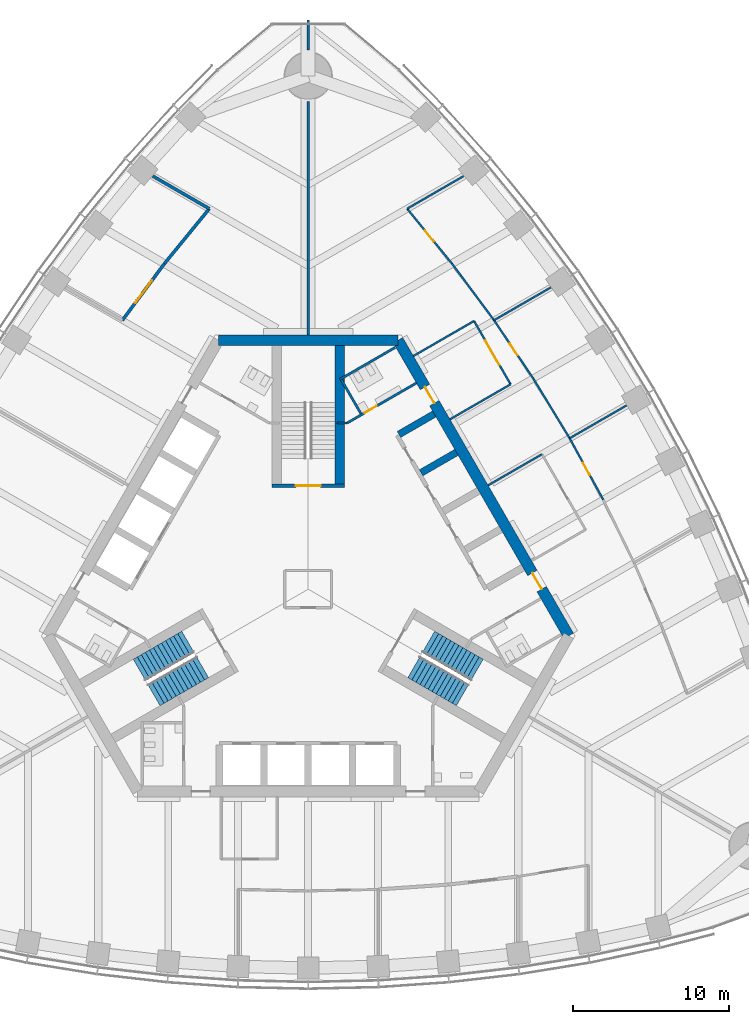
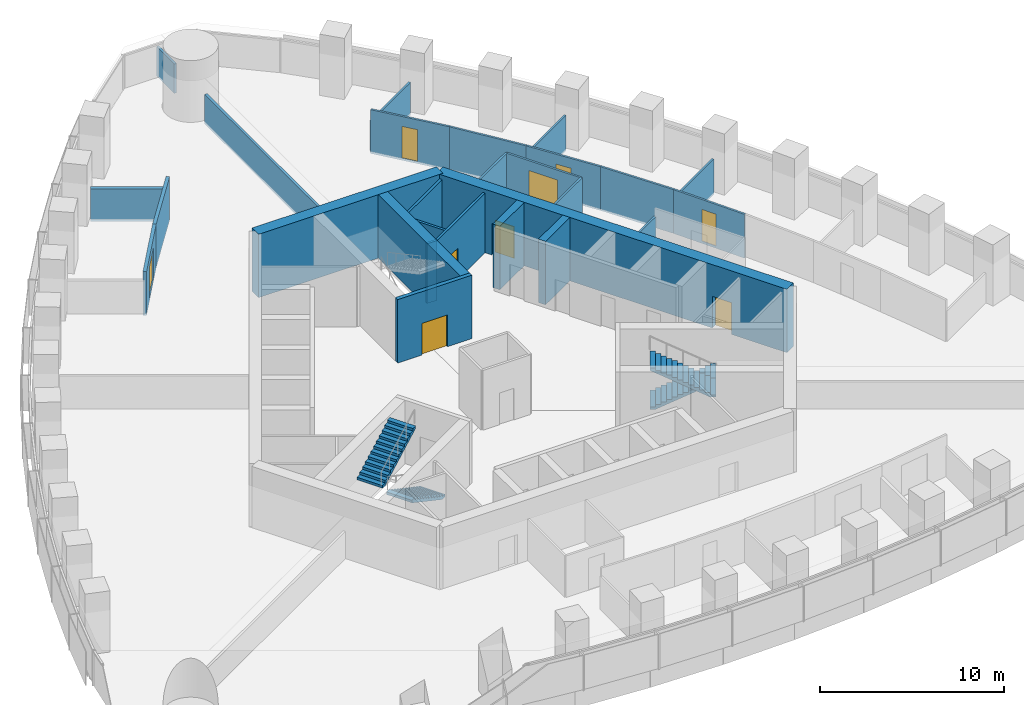
# One storey, part 13 of 19: 27 walls, 9 doors, 4 stair flights, 9 openings, 2 elements without a shape of their own.
"""IFC4 building model written with IfcOpenShell, lengths in metres."""

from ifc_helpers import new_model, si_unit, direction, frame, frame_2d, origin, place, context, subcontext, project, spatial, polyline, rectangle, outline, extrude, material, layer, layer_set, type_object, element, fill, aggregate, save


model = new_model("IFC4")

# Units and contexts
model_context = context("Model", 3, precision=1e-05, world=origin(), true_north=direction((0.0, 1.0)))
body_context = subcontext(model_context, "Body", "Model", "MODEL_VIEW")
ifc_project = project(units=[si_unit("LENGTHUNIT", "METRE"), si_unit("AREAUNIT", "SQUARE_METRE"), si_unit("VOLUMEUNIT", "CUBIC_METRE"), si_unit("PLANEANGLEUNIT", "RADIAN"), si_unit("MASSUNIT", "GRAM", prefix="KILO")], contexts=[model_context])

# Site, building, storey
site_placement = place(None, origin())
site = spatial("IfcSite", under=ifc_project, at=site_placement, CompositionType="ELEMENT")
building_placement = place(site_placement, origin())
building = spatial("IfcBuilding", under=site, at=building_placement, Name="Trefoil Bronze Tower", CompositionType="ELEMENT")
storey_placement = place(building_placement, frame((0.0, 0.0, 261.10009765625)))
storey = spatial("IfcBuildingStorey", under=building, at=storey_placement, Name="L60", CompositionType="ELEMENT", Elevation=261.10009765625)

# Wall, opening, door
ifc_material_1 = material(Name="Gypsum board on steel studs", Category="steel")
ifc_layer_1 = layer(ifc_material_1, 0.199951171875)
ifc_layer_set_1 = layer_set([ifc_layer_1], Name="Acoustic partition 200")
wall_type_1 = type_object("IfcWallType", Name="Acoustic partition 200", PredefinedType="PARTITIONING", material=ifc_layer_set_1)
wall_1_placement = place(storey_placement, frame((-9.2421875, 20.92431640625, 0.0), z_axis=(0.0, 0.0, 1.0), x_axis=(-0.59613842716, -0.802881669777, 0.0)))
wall_1 = element("IfcWall", 1, at=wall_1_placement, inside=storey, type_object=wall_type_1, Name="Partition F3 L60", PredefinedType="PARTITIONING", context=body_context, shape_type="SweptSolid", body=[
    extrude(rectangle(XDim=4.52978515625, YDim=0.199951171875, at=frame_2d((2.264892578125, 0.0))), origin(), (0.0, 0.0, 1.0), 2.89990234375),
])
opening_1_placement = place(wall_1_placement, frame((1.35009765625, 0.0, 0.14990234375)))
opening_1 = element("IfcOpeningElement", 2, at=opening_1_placement, cuts=wall_1, Name="Opening D10", PredefinedType="OPENING", context=body_context, shape_type="SweptSolid", body=[
    extrude(rectangle(XDim=1.800048828125, YDim=2.10009765625, at=frame_2d((0.89990234375, 1.050048828125))), frame((0.0, 0.10986328125, 0.0), z_axis=(0.0, -1.0, 0.0), x_axis=(1.0, 0.0, 0.0)), (0.0, 0.0, 1.0), 0.219970703125),
])
ifc_material_2 = material(Name="Timber door", Category="wood")
door_type_1 = type_object("IfcDoorType", Name="Double door 1800", OperationType="DOUBLE_DOOR_SINGLE_SWING", PredefinedType="DOOR", material=ifc_material_2)
door_1_placement = place(opening_1_placement, frame((1.800048828125, 0.0, 0.0), z_axis=(0.0, 0.0, 1.0), x_axis=(-1.0, 0.0, 0.0)))
door_1 = element("IfcDoor", 3, at=door_1_placement, inside=storey, type_object=door_type_1, Name="Boardroom door F3 L60", OperationType="DOUBLE_DOOR_SINGLE_SWING", OverallHeight=2.10009765625, OverallWidth=1.800048828125, PredefinedType="DOOR", context=body_context, shape_type="SweptSolid", body=[
    extrude(rectangle(XDim=1.800048828125, YDim=2.10009765625, at=frame_2d((0.89990234375, 1.050048828125))), frame((0.0, 0.02490234375, 0.0), z_axis=(0.0, -1.0, 0.0), x_axis=(1.0, 0.0, 0.0)), (0.0, 0.0, 1.0), 0.050048828125),
])
fill(opening_1, door_1)

# Walls
wall_2_placement = place(storey_placement, frame((-6.357177734375, 24.454833984375, 0.0), z_axis=(0.0, 0.0, 1.0), x_axis=(-0.632765292047, -0.774343647989, 0.0)))
element("IfcWall", 4, at=wall_2_placement, inside=storey, type_object=wall_type_1, Name="Partition F3 L60", PredefinedType="PARTITIONING", context=body_context, shape_type="SweptSolid", body=[
    extrude(rectangle(XDim=4.559326171875, YDim=0.199951171875, at=frame_2d((2.27978515625, 0.0))), origin(), (0.0, 0.0, 1.0), 2.89990234375),
])
wall_3_placement = place(storey_placement, frame((-6.357177734375, 24.454833984375, 0.0), z_axis=(0.0, 0.0, 1.0), x_axis=(-0.866016898545, 0.500014731218, 0.0)))
element("IfcWall", 5, at=wall_3_placement, inside=storey, type_object=wall_type_1, Name="Partition F3 L60", PredefinedType="PARTITIONING", context=body_context, shape_type="SweptSolid", body=[
    extrude(rectangle(XDim=4.193603515625, YDim=0.199951171875, at=frame_2d((2.0966796875, 0.0))), origin(), (0.0, 0.0, 1.0), 2.14990234375),
])

# Wall, openings, doors
ifc_material_3 = material(Name="Concrete B80", Category="concrete")
ifc_layer_2 = layer(ifc_material_3, 0.699951171875)
ifc_layer_set_2 = layer_set([ifc_layer_2], Name="Core wall 700")
wall_type_2 = type_object("IfcWallType", Name="Core wall 700", PredefinedType="SHEAR", material=ifc_layer_set_2)
wall_4_placement = place(storey_placement, frame((16.7431640625, -3.0, 0.0), z_axis=(0.0, 0.0, 1.0), x_axis=(-0.500002442456, 0.866023993627, 0.0)))
wall_4 = element("IfcWall", 6, at=wall_4_placement, inside=storey, type_object=wall_type_2, Name="Core long wall 2 L60", PredefinedType="SHEAR", context=body_context, shape_type="SweptSolid", body=[
    extrude(rectangle(XDim=21.939453125, YDim=0.699951171875, at=frame_2d((10.9697265625, 0.0))), origin(), (0.0, 0.0, 1.0), 4.199951171875),
])
opening_2_placement = place(wall_4_placement, frame((17.269775390625, 0.0, 0.0)))
opening_2 = element("IfcOpeningElement", 7, at=opening_2_placement, cuts=wall_4, Name="Opening D2", PredefinedType="OPENING", context=body_context, shape_type="SweptSolid", body=[
    extrude(rectangle(XDim=1.199951171875, YDim=2.10009765625, at=frame_2d((0.60009765625, 1.050048828125))), frame((0.0, 0.35986328125, 0.0), z_axis=(0.0, -1.0, 0.0), x_axis=(1.0, 0.0, 0.0)), (0.0, 0.0, 1.0), 0.719970703125),
])
opening_3_placement = place(wall_4_placement, frame((3.4697265625, 0.0, 0.0)))
opening_3 = element("IfcOpeningElement", 8, at=opening_3_placement, cuts=wall_4, Name="Opening D2", PredefinedType="OPENING", context=body_context, shape_type="SweptSolid", body=[
    extrude(rectangle(XDim=1.199951171875, YDim=2.10009765625, at=frame_2d((0.60009765625, 1.050048828125))), frame((0.0, 0.35986328125, 0.0), z_axis=(0.0, -1.0, 0.0), x_axis=(1.0, 0.0, 0.0)), (0.0, 0.0, 1.0), 0.719970703125),
])
ifc_material_4 = material(Name="Steel door", Category="steel")
door_type_2 = type_object("IfcDoorType", Name="Lobby door 1200", OperationType="SINGLE_SWING_RIGHT", PredefinedType="DOOR", material=ifc_material_4)
door_2_placement = place(opening_2_placement, origin())
door_2 = element("IfcDoor", 9, at=door_2_placement, inside=storey, type_object=door_type_2, Name="Lobby door F2+ L60", OperationType="SINGLE_SWING_RIGHT", OverallHeight=2.10009765625, OverallWidth=1.199951171875, PredefinedType="DOOR", context=body_context, shape_type="SweptSolid", body=[
    extrude(rectangle(XDim=1.199951171875, YDim=2.10009765625, at=frame_2d((0.60009765625, 1.050048828125))), frame((0.0, 0.02490234375, 0.0), z_axis=(0.0, -1.0, 0.0), x_axis=(1.0, 0.0, 0.0)), (0.0, 0.0, 1.0), 0.050048828125),
])
fill(opening_2, door_2)
door_3_placement = place(opening_3_placement, origin())
door_3 = element("IfcDoor", 10, at=door_3_placement, inside=storey, type_object=door_type_2, Name="Lobby door F2- L60", OperationType="SINGLE_SWING_LEFT", OverallHeight=2.10009765625, OverallWidth=1.199951171875, PredefinedType="DOOR", context=body_context, shape_type="SweptSolid", body=[
    extrude(rectangle(XDim=1.199951171875, YDim=2.10009765625, at=frame_2d((0.60009765625, 1.050048828125))), frame((0.0, 0.02490234375, 0.0), z_axis=(0.0, -1.0, 0.0), x_axis=(1.0, 0.0, 0.0)), (0.0, 0.0, 1.0), 0.050048828125),
])
fill(opening_3, door_3)

# Wall
wall_5_placement = place(storey_placement, frame((5.7734375, 16.0, 0.0), z_axis=(0.0, 0.0, 1.0), x_axis=(-1.0, 0.0, 0.0)))
element("IfcWall", 11, at=wall_5_placement, inside=storey, type_object=wall_type_2, Name="Core short wall 2 L60", PredefinedType="SHEAR", context=body_context, shape_type="SweptSolid", body=[
    extrude(rectangle(XDim=11.546875, YDim=0.699951171875, at=frame_2d((5.7734375, 0.0))), origin(), (0.0, 0.0, 1.0), 4.199951171875),
])

# Wall, opening, door
ifc_material_5 = material(Name="Glazed partition", Category="glass")
ifc_layer_3 = layer(ifc_material_5, 0.1201171875)
ifc_layer_set_3 = layer_set([ifc_layer_3], Name="Glazed partition 120")
wall_type_3 = type_object("IfcWallType", Name="Glazed partition 120", PredefinedType="PARTITIONING", material=ifc_layer_set_3)
wall_6_placement = place(storey_placement, frame((13.008544921875, 13.16845703125, 0.0), z_axis=(0.0, 0.0, 1.0), x_axis=(-0.500016218704, 0.866016039709, 0.0)))
wall_6 = element("IfcWall", 12, at=wall_6_placement, inside=storey, type_object=wall_type_3, Name="Partition F2 L60", PredefinedType="PARTITIONING", context=body_context, shape_type="SweptSolid", body=[
    extrude(rectangle(XDim=4.699951171875, YDim=0.1201171875, at=frame_2d((2.35009765625, 0.0))), origin(), (0.0, 0.0, 1.0), 2.89990234375),
])
opening_4_placement = place(wall_6_placement, frame((1.449951171875, 0.0, 0.14990234375)))
opening_4 = element("IfcOpeningElement", 13, at=opening_4_placement, cuts=wall_6, Name="Opening D10", PredefinedType="OPENING", context=body_context, shape_type="SweptSolid", body=[
    extrude(rectangle(XDim=1.800048828125, YDim=2.10009765625, at=frame_2d((0.89990234375, 1.050048828125))), frame((0.0, 0.070068359375, 0.0), z_axis=(0.0, -1.0, 0.0), x_axis=(1.0, 0.0, 0.0)), (0.0, 0.0, 1.0), 0.14013671875),
])
door_4_placement = place(opening_4_placement, frame((1.800048828125, 0.0, 0.0), z_axis=(0.0, 0.0, 1.0), x_axis=(-1.0, 0.0, 0.0)))
door_4 = element("IfcDoor", 14, at=door_4_placement, inside=storey, type_object=door_type_1, Name="Reception door F2 L60", OperationType="DOUBLE_DOOR_SINGLE_SWING", OverallHeight=2.10009765625, OverallWidth=1.800048828125, PredefinedType="DOOR", context=body_context, shape_type="SweptSolid", body=[
    extrude(rectangle(XDim=1.800048828125, YDim=2.10009765625, at=frame_2d((0.89990234375, 1.050048828125))), frame((0.0, 0.02490234375, 0.0), z_axis=(0.0, -1.0, 0.0), x_axis=(1.0, 0.0, 0.0)), (0.0, 0.0, 1.0), 0.050048828125),
])
fill(opening_4, door_4)

# Walls
wall_7_placement = place(storey_placement, frame((9.111328125, 10.91845703125, 0.0), z_axis=(0.0, 0.0, 1.0), x_axis=(0.866031096941, 0.499990139034, 0.0)))
element("IfcWall", 15, at=wall_7_placement, inside=storey, type_object=wall_type_3, Name="Partition F2 L60", PredefinedType="PARTITIONING", context=body_context, shape_type="SweptSolid", body=[
    extrude(rectangle(XDim=4.5, YDim=0.1201171875, at=frame_2d((2.25, 0.0))), origin(), (0.0, 0.0, 1.0), 2.89990234375),
])
wall_8_placement = place(storey_placement, frame((6.761474609375, 14.98876953125, 0.0), z_axis=(0.0, 0.0, 1.0), x_axis=(0.866017533419, 0.500013631625, 0.0)))
element("IfcWall", 16, at=wall_8_placement, inside=storey, type_object=wall_type_3, Name="Partition F2 L60", PredefinedType="PARTITIONING", context=body_context, shape_type="SweptSolid", body=[
    extrude(rectangle(XDim=4.499755859375, YDim=0.1201171875, at=frame_2d((2.25, 0.0))), origin(), (0.0, 0.0, 1.0), 2.89990234375),
])
wall_9_placement = place(storey_placement, frame((11.5615234375, 6.675048828125, 0.0), z_axis=(0.0, 0.0, 1.0), x_axis=(0.866026010844, 0.49999894854, 0.0)))
element("IfcWall", 17, at=wall_9_placement, inside=storey, type_object=wall_type_3, Name="Partition F2 L60", PredefinedType="PARTITIONING", context=body_context, shape_type="SweptSolid", body=[
    extrude(rectangle(XDim=4.0, YDim=0.1201171875, at=frame_2d((2.0, 0.0))), origin(), (0.0, 0.0, 1.0), 2.349853515625),
])
wall_10_placement = place(storey_placement, frame((16.801513671875, 9.700439453125, 0.0), z_axis=(0.0, 0.0, 1.0), x_axis=(-0.519790350351, 0.85429385558, 0.0)))
element("IfcWall", 18, at=wall_10_placement, inside=storey, type_object=wall_type_3, Name="Partition F2 L60", PredefinedType="PARTITIONING", context=body_context, shape_type="SweptSolid", body=[
    extrude(rectangle(XDim=4.5009765625, YDim=0.1201171875, at=frame_2d((2.25048828125, 0.0))), origin(), (0.0, 0.0, 1.0), 2.89990234375),
])

# Wall, opening, door
wall_11_placement = place(storey_placement, frame((9.2421875, 20.92431640625, 0.0), z_axis=(0.0, 0.0, 1.0), x_axis=(-0.632765292047, 0.774343647989, 0.0)))
wall_11 = element("IfcWall", 19, at=wall_11_placement, inside=storey, type_object=wall_type_3, Name="Partition F2 L60", PredefinedType="PARTITIONING", context=body_context, shape_type="SweptSolid", body=[
    extrude(rectangle(XDim=4.559326171875, YDim=0.1201171875, at=frame_2d((2.27978515625, 0.0))), origin(), (0.0, 0.0, 1.0), 2.89990234375),
])
opening_5_placement = place(wall_11_placement, frame((1.85009765625, 0.0, 0.14990234375)))
opening_5 = element("IfcOpeningElement", 20, at=opening_5_placement, cuts=wall_11, Name="Opening D8", PredefinedType="OPENING", context=body_context, shape_type="SweptSolid", body=[
    extrude(rectangle(XDim=0.89990234375, YDim=2.10009765625, at=frame_2d((0.449951171875, 1.050048828125))), frame((0.0, 0.070068359375, 0.0), z_axis=(0.0, -1.0, 0.0), x_axis=(1.0, 0.0, 0.0)), (0.0, 0.0, 1.0), 0.14013671875),
])
ifc_material_6 = material(Name="Timber door", Category="wood")
door_type_3 = type_object("IfcDoorType", Name="Office door 900", OperationType="SINGLE_SWING_LEFT", PredefinedType="DOOR", material=ifc_material_6)
door_5_placement = place(opening_5_placement, frame((0.89990234375, 0.0, 0.0), z_axis=(0.0, 0.0, 1.0), x_axis=(-1.0, 0.0, 0.0)))
door_5 = element("IfcDoor", 21, at=door_5_placement, inside=storey, type_object=door_type_3, Name="Executive office door F2 L60", OperationType="SINGLE_SWING_LEFT", OverallHeight=2.10009765625, OverallWidth=0.89990234375, PredefinedType="DOOR", context=body_context, shape_type="SweptSolid", body=[
    extrude(rectangle(XDim=0.89990234375, YDim=2.10009765625, at=frame_2d((0.449951171875, 1.050048828125))), frame((0.0, 0.02490234375, 0.0), z_axis=(0.0, -1.0, 0.0), x_axis=(1.0, 0.0, 0.0)), (0.0, 0.0, 1.0), 0.050048828125),
])
fill(opening_5, door_5)

wall_12_placement = place(storey_placement, frame((14.4619140625, 13.545654296875, 0.0), z_axis=(0.0, 0.0, 1.0), x_axis=(-0.55850386778, 0.829501916619, 0.0)))
wall_12 = element("IfcWall", 22, at=wall_12_placement, inside=storey, type_object=wall_type_3, Name="Partition F2 L60", PredefinedType="PARTITIONING", context=body_context, shape_type="SweptSolid", body=[
    extrude(rectangle(XDim=4.5107421875, YDim=0.1201171875, at=frame_2d((2.25537109375, 0.0))), origin(), (0.0, 0.0, 1.0), 2.89990234375),
])
opening_6_placement = place(wall_12_placement, frame((1.800048828125, 0.0, 0.14990234375)))
opening_6 = element("IfcOpeningElement", 23, at=opening_6_placement, cuts=wall_12, Name="Opening D8", PredefinedType="OPENING", context=body_context, shape_type="SweptSolid", body=[
    extrude(rectangle(XDim=0.89990234375, YDim=2.10009765625, at=frame_2d((0.449951171875, 1.050048828125))), frame((0.0, 0.070068359375, 0.0), z_axis=(0.0, -1.0, 0.0), x_axis=(1.0, 0.0, 0.0)), (0.0, 0.0, 1.0), 0.14013671875),
])
door_6_placement = place(opening_6_placement, frame((0.89990234375, 0.0, 0.0), z_axis=(0.0, 0.0, 1.0), x_axis=(-1.0, 0.0, 0.0)))
door_6 = element("IfcDoor", 24, at=door_6_placement, inside=storey, type_object=door_type_3, Name="Executive office door F2 L60", OperationType="SINGLE_SWING_RIGHT", OverallHeight=2.10009765625, OverallWidth=0.89990234375, PredefinedType="DOOR", context=body_context, shape_type="SweptSolid", body=[
    extrude(rectangle(XDim=0.89990234375, YDim=2.10009765625, at=frame_2d((0.449951171875, 1.050048828125))), frame((0.0, 0.02490234375, 0.0), z_axis=(0.0, -1.0, 0.0), x_axis=(1.0, 0.0, 0.0)), (0.0, 0.0, 1.0), 0.050048828125),
])
fill(opening_6, door_6)

# Wall
wall_13_placement = place(storey_placement, frame((11.942626953125, 17.287353515625, 0.0), z_axis=(0.0, 0.0, 1.0), x_axis=(-0.59613842716, 0.802881669777, 0.0)))
element("IfcWall", 25, at=wall_13_placement, inside=storey, type_object=wall_type_3, Name="Partition F2 L60", PredefinedType="PARTITIONING", context=body_context, shape_type="SweptSolid", body=[
    extrude(rectangle(XDim=4.52978515625, YDim=0.1201171875, at=frame_2d((2.264892578125, 0.0))), origin(), (0.0, 0.0, 1.0), 2.89990234375),
])

# Wall, opening, door
wall_14_placement = place(storey_placement, frame((18.9619140625, 5.75146484375, 0.0), z_axis=(0.0, 0.0, 1.0), x_axis=(-0.479949984371, 0.877295852322, 0.0)))
wall_14 = element("IfcWall", 26, at=wall_14_placement, inside=storey, type_object=wall_type_3, Name="Partition F2 L60", PredefinedType="PARTITIONING", context=body_context, shape_type="SweptSolid", body=[
    extrude(rectangle(XDim=4.501220703125, YDim=0.1201171875, at=frame_2d((2.25048828125, 0.0))), origin(), (0.0, 0.0, 1.0), 2.89990234375),
])
opening_7_placement = place(wall_14_placement, frame((1.800048828125, 0.0, 0.14990234375)))
opening_7 = element("IfcOpeningElement", 27, at=opening_7_placement, cuts=wall_14, Name="Opening D8", PredefinedType="OPENING", context=body_context, shape_type="SweptSolid", body=[
    extrude(rectangle(XDim=0.89990234375, YDim=2.10009765625, at=frame_2d((0.449951171875, 1.050048828125))), frame((0.0, 0.070068359375, 0.0), z_axis=(0.0, -1.0, 0.0), x_axis=(1.0, 0.0, 0.0)), (0.0, 0.0, 1.0), 0.14013671875),
])
door_7_placement = place(opening_7_placement, frame((0.89990234375, 0.0, 0.0), z_axis=(0.0, 0.0, 1.0), x_axis=(-1.0, 0.0, 0.0)))
door_7 = element("IfcDoor", 28, at=door_7_placement, inside=storey, type_object=door_type_3, Name="Executive office door F2 L60", OperationType="SINGLE_SWING_RIGHT", OverallHeight=2.10009765625, OverallWidth=0.89990234375, PredefinedType="DOOR", context=body_context, shape_type="SweptSolid", body=[
    extrude(rectangle(XDim=0.89990234375, YDim=2.10009765625, at=frame_2d((0.449951171875, 1.050048828125))), frame((0.0, 0.02490234375, 0.0), z_axis=(0.0, -1.0, 0.0), x_axis=(1.0, 0.0, 0.0)), (0.0, 0.0, 1.0), 0.050048828125),
])
fill(opening_7, door_7)

# Walls
wall_15_placement = place(storey_placement, frame((16.801513671875, 9.700439453125, 0.0), z_axis=(0.0, 0.0, 1.0), x_axis=(0.866034326667, 0.499984544796, 0.0)))
element("IfcWall", 29, at=wall_15_placement, inside=storey, type_object=wall_type_3, Name="Partition F2 L60", PredefinedType="PARTITIONING", context=body_context, shape_type="SweptSolid", body=[
    extrude(rectangle(XDim=4.219970703125, YDim=0.1201171875, at=frame_2d((2.10986328125, 0.0))), origin(), (0.0, 0.0, 1.0), 2.349853515625),
])
wall_16_placement = place(storey_placement, frame((6.357177734375, 24.454833984375, 0.0), z_axis=(0.0, 0.0, 1.0), x_axis=(0.866016898545, 0.500014731218, 0.0)))
element("IfcWall", 30, at=wall_16_placement, inside=storey, type_object=wall_type_3, Name="Partition F2 L60", PredefinedType="PARTITIONING", context=body_context, shape_type="SweptSolid", body=[
    extrude(rectangle(XDim=4.193603515625, YDim=0.1201171875, at=frame_2d((2.0966796875, 0.0))), origin(), (0.0, 0.0, 1.0), 2.14990234375),
])
wall_17_placement = place(storey_placement, frame((11.942626953125, 17.287353515625, 0.0), z_axis=(0.0, 0.0, 1.0), x_axis=(0.866016734951, 0.50001501456, 0.0)))
element("IfcWall", 31, at=wall_17_placement, inside=storey, type_object=wall_type_3, Name="Partition F2 L60", PredefinedType="PARTITIONING", context=body_context, shape_type="SweptSolid", body=[
    extrude(rectangle(XDim=4.213623046875, YDim=0.1201171875, at=frame_2d((2.10693359375, 0.0))), origin(), (0.0, 0.0, 1.0), 2.349853515625),
])
ifc_material_7 = material(Name="Concrete B80", Category="concrete")
ifc_layer_4 = layer(ifc_material_7, 0.449951171875)
ifc_layer_set_4 = layer_set([ifc_layer_4], Name="Outrigger shaft wall 450")
wall_type_4 = type_object("IfcWallType", Name="Outrigger shaft wall 450", PredefinedType="SHEAR", material=ifc_layer_set_4)
for number, where, z_axis, x_axis, name in (
    (32, (7.2568359375, 7.480712890625, 0.0), (0.0, 0.0, 1.0), (0.866036909293, 0.499980071345, 0.0), "Lift shaft side wall B3 L60"),
    (33, (5.831787109375, 9.94873046875, 0.0), (0.0, 0.0, 1.0), (0.866036909293, 0.499980071345, 0.0), "Lift shaft side wall B4 L60"),
):
    element("IfcWall", number, at=place(storey_placement, frame(where, z_axis=z_axis, x_axis=x_axis)), inside=storey, type_object=wall_type_4, Name=name, PredefinedType="SHEAR", context=body_context, shape_type="SweptSolid", body=[
        extrude(rectangle(XDim=2.625, YDim=0.449951171875, at=frame_2d((1.3125, 0.0))), origin(), (0.0, 0.0, 1.0), 4.199951171875),
    ])

# Wall, opening, door
ifc_material_8 = material(Name="Gypsum board on steel studs", Category="steel")
ifc_layer_5 = layer(ifc_material_8, 0.14990234375)
ifc_layer_set_5 = layer_set([ifc_layer_5], Name="Partition 150")
wall_type_5 = type_object("IfcWallType", Name="Partition 150", PredefinedType="PARTITIONING", material=ifc_layer_set_5)
wall_18_placement = place(storey_placement, frame((2.4951171875, 10.67822265625, 0.0), z_axis=(0.0, 0.0, 1.0), x_axis=(0.866037967349, 0.499978238636, 0.0)))
wall_18 = element("IfcWall", 34, at=wall_18_placement, inside=storey, type_object=wall_type_5, Name="Passage wall F2+ L60", PredefinedType="PARTITIONING", context=body_context, shape_type="SweptSolid", body=[
    extrude(rectangle(XDim=5.150146484375, YDim=0.14990234375, at=frame_2d((2.5751953125, 0.0))), origin(), (0.0, 0.0, 1.0), 3.949951171875),
])
opening_8_placement = place(wall_18_placement, frame((1.300048828125, 0.0, 0.0)))
opening_8 = element("IfcOpeningElement", 35, at=opening_8_placement, cuts=wall_18, Name="Opening D3", PredefinedType="OPENING", context=body_context, shape_type="SweptSolid", body=[
    extrude(rectangle(XDim=0.89990234375, YDim=2.10009765625, at=frame_2d((0.449951171875, 1.050048828125))), frame((0.0, 0.0849609375, 0.0), z_axis=(0.0, -1.0, 0.0), x_axis=(1.0, 0.0, 0.0)), (0.0, 0.0, 1.0), 0.169921875),
])
ifc_material_9 = material(Name="Timber door", Category="wood")
door_type_4 = type_object("IfcDoorType", Name="WC door 900", OperationType="SINGLE_SWING_LEFT", PredefinedType="DOOR", material=ifc_material_9)
door_8_placement = place(opening_8_placement, origin())
door_8 = element("IfcDoor", 36, at=door_8_placement, inside=storey, type_object=door_type_4, Name="WC (men) door L60", OperationType="SINGLE_SWING_LEFT", OverallHeight=2.10009765625, OverallWidth=0.89990234375, PredefinedType="DOOR", context=body_context, shape_type="SweptSolid", body=[
    extrude(rectangle(XDim=0.89990234375, YDim=2.10009765625, at=frame_2d((0.449951171875, 1.050048828125))), frame((0.0, 0.02490234375, 0.0), z_axis=(0.0, -1.0, 0.0), x_axis=(1.0, 0.0, 0.0)), (0.0, 0.0, 1.0), 0.050048828125),
])
fill(opening_8, door_8)

# Walls
wall_19_placement = place(storey_placement, frame((2.4951171875, 10.67822265625, 0.0), z_axis=(0.0, 0.0, 1.0), x_axis=(-1.0, 0.0, 0.0)))
element("IfcWall", 37, at=wall_19_placement, inside=storey, type_object=wall_type_5, Name="WC wall ST2-1 L60", PredefinedType="PARTITIONING", context=body_context, shape_type="SweptSolid", body=[
    extrude(rectangle(XDim=0.64501953125, YDim=0.14990234375, at=frame_2d((0.322509765625, 0.0))), origin(), (0.0, 0.0, 1.0), 3.949951171875),
])
wall_20_placement = place(storey_placement, frame((2.03125, 13.48193359375, 0.0), z_axis=(0.0, 0.0, 1.0), x_axis=(0.866050731258, 0.499956128963, 0.0)))
element("IfcWall", 38, at=wall_20_placement, inside=storey, type_object=wall_type_5, Name="WC partition WC (men) L60", PredefinedType="PARTITIONING", context=body_context, shape_type="SweptSolid", body=[
    extrude(rectangle(XDim=4.099853515625, YDim=0.14990234375, at=frame_2d((2.0498046875, 0.0))), origin(), (0.0, 0.0, 1.0), 3.949951171875),
])
wall_21_placement = place(storey_placement, frame((3.388671875, 11.28076171875, 0.0), z_axis=(0.0, 0.0, 1.0), x_axis=(-0.499989096993, 0.866031698547, 0.0)))
element("IfcWall", 39, at=wall_21_placement, inside=storey, type_object=wall_type_5, Name="WC partition WC (men) L60", PredefinedType="PARTITIONING", context=body_context, shape_type="SweptSolid", body=[
    extrude(rectangle(XDim=2.509765625, YDim=0.14990234375, at=frame_2d((1.2548828125, 0.0))), origin(), (0.0, 0.0, 1.0), 3.949951171875),
])
ifc_material_10 = material(Name="Gypsum board on steel studs", Category="steel")
ifc_layer_6 = layer(ifc_material_10, 0.14990234375)
ifc_layer_set_6 = layer_set([ifc_layer_6], Name="Party wall 150")
wall_type_6 = type_object("IfcWallType", Name="Party wall 150", PredefinedType="PARTITIONING", material=ifc_layer_set_6)
wall_22_placement = place(storey_placement, frame((0.0, 16.35009765625, 0.0), z_axis=(0.0, 0.0, 1.0), x_axis=(0.0, 1.0, 0.0)))
element("IfcWall", 40, at=wall_22_placement, inside=storey, type_object=wall_type_6, Name="Party wall K2 L60", PredefinedType="PARTITIONING", context=body_context, shape_type="SweptSolid", body=[
    extrude(rectangle(XDim=15.0, YDim=0.14990234375, at=frame_2d((7.5, 0.0))), origin(), (0.0, 0.0, 1.0), 1.949951171875),
])
wall_23_placement = place(storey_placement, frame((0.0, 34.64990234375, 0.0), z_axis=(0.0, 0.0, 1.0), x_axis=(0.0, 1.0, 0.0)))
element("IfcWall", 41, at=wall_23_placement, inside=storey, type_object=wall_type_6, Name="Party wall K2 L60", PredefinedType="PARTITIONING", context=body_context, shape_type="SweptSolid", body=[
    extrude(rectangle(XDim=1.934814453125, YDim=0.14990234375, at=frame_2d((0.96728515625, 0.0))), origin(), (0.0, 0.0, 1.0), 1.949951171875),
])

# Wall, opening, door
ifc_material_11 = material(Name="Concrete B80", Category="concrete")
ifc_layer_7 = layer(ifc_material_11, 0.25)
ifc_layer_set_7 = layer_set([ifc_layer_7], Name="Shaft wall 250")
wall_type_7 = type_object("IfcWallType", Name="Shaft wall 250", PredefinedType="SHEAR", material=ifc_layer_set_7)
wall_24_placement = place(storey_placement, frame((2.324951171875, 6.64990234375, 0.0), z_axis=(0.0, 0.0, 1.0), x_axis=(-1.0, 0.0, 0.0)))
wall_24 = element("IfcWall", 42, at=wall_24_placement, inside=storey, type_object=wall_type_7, Name="Stair end wall ST2 L60", PredefinedType="SHEAR", context=body_context, shape_type="SweptSolid", body=[
    extrude(rectangle(XDim=4.64990234375, YDim=0.25, at=frame_2d((2.324951171875, 0.0))), origin(), (0.0, 0.0, 1.0), 4.199951171875),
])
opening_9_placement = place(wall_24_placement, frame((1.52490234375, 0.0, 0.0)))
opening_9 = element("IfcOpeningElement", 43, at=opening_9_placement, cuts=wall_24, Name="Opening D1", PredefinedType="OPENING", context=body_context, shape_type="SweptSolid", body=[
    extrude(rectangle(XDim=1.60009765625, YDim=2.10009765625, at=frame_2d((0.800048828125, 1.050048828125))), frame((0.0, 0.135009765625, 0.0), z_axis=(0.0, -1.0, 0.0), x_axis=(1.0, 0.0, 0.0)), (0.0, 0.0, 1.0), 0.27001953125),
])
ifc_material_12 = material(Name="Steel door", Category="steel")
door_type_5 = type_object("IfcDoorType", Name="Stair door 1600", OperationType="DOUBLE_DOOR_SINGLE_SWING", PredefinedType="DOOR", material=ifc_material_12)
door_9_placement = place(opening_9_placement, frame((1.60009765625, 0.0, 0.0), z_axis=(0.0, 0.0, 1.0), x_axis=(-1.0, 0.0, 0.0)))
door_9 = element("IfcDoor", 44, at=door_9_placement, inside=storey, type_object=door_type_5, Name="Stair door ST2 L60", OperationType="DOUBLE_DOOR_SINGLE_SWING", OverallHeight=2.10009765625, OverallWidth=1.60009765625, PredefinedType="DOOR", context=body_context, shape_type="SweptSolid", body=[
    extrude(rectangle(XDim=1.60009765625, YDim=2.10009765625, at=frame_2d((0.800048828125, 1.050048828125))), frame((0.0, 0.02490234375, 0.0), z_axis=(0.0, -1.0, 0.0), x_axis=(1.0, 0.0, 0.0)), (0.0, 0.0, 1.0), 0.050048828125),
])
fill(opening_9, door_9)

# Wall
ifc_material_13 = material(Name="Concrete B80", Category="concrete")
ifc_layer_8 = layer(ifc_material_13, 0.60009765625)
ifc_layer_set_8 = layer_set([ifc_layer_8], Name="Stair wall 600")
wall_type_8 = type_object("IfcWallType", Name="Stair wall 600", PredefinedType="SHEAR", material=ifc_layer_set_8)
wall_25_placement = place(storey_placement, frame((2.02490234375, 6.52490234375, 0.0), z_axis=(0.0, 0.0, 1.0), x_axis=(0.0, 1.0, 0.0)))
element("IfcWall", 45, at=wall_25_placement, inside=storey, type_object=wall_type_8, Name="Stair wall ST2 L60", PredefinedType="SHEAR", context=body_context, shape_type="SweptSolid", body=[
    extrude(rectangle(XDim=9.125, YDim=0.60009765625, at=frame_2d((4.5625, 0.0))), origin(), (0.0, 0.0, 1.0), 4.199951171875),
])

# Stair, stair flights
ifc_material_14 = material(Name="Precast concrete B80", Category="concrete")
stair_type = type_object("IfcStairType", Name="Exit stair 26 risers", PredefinedType="HALF_TURN_STAIR", material=ifc_material_14)
stair_1_placement = place(storey_placement, origin())
stair_1 = element("IfcStair", 46, at=stair_1_placement, inside=storey, type_object=stair_type, Name="Stair ST1 L60", PredefinedType="HALF_TURN_STAIR")
ifc_material_15 = material(Name="Precast concrete B80", Category="concrete")
stair_flight_type = type_object("IfcStairFlightType", Name="Stair flight 1600", PredefinedType="STRAIGHT", material=ifc_material_15)
stair_flight_1_placement = place(storey_placement, frame((7.728515625, -3.39404296875, 0.0), z_axis=(0.0, 0.0, 1.0), x_axis=(0.866025403784, -0.5, 0.0)))
stair_flight_1 = element("IfcStairFlight", 47, at=stair_flight_1_placement, type_object=stair_flight_type, Name="ST1 flight 1", NumberOfRisers=13, NumberOfTreads=12, PredefinedType="STRAIGHT", RiserHeight=0.161538462, TreadLength=0.3, context=body_context, shape_type="SweptSolid", body=[
    extrude(outline(polyline([(0.0, 0.0), (0.0, 0.16162109375), (0.300048828125, 0.16162109375), (0.300048828125, 0.322998046875), (0.60009765625, 0.322998046875), (0.60009765625, 0.484619140625), (0.89990234375, 0.484619140625), (0.89990234375, 0.646240234375), (1.199951171875, 0.646240234375), (1.199951171875, 0.8076171875), (1.5, 0.8076171875), (1.5, 0.96923828125), (1.800048828125, 0.96923828125), (1.800048828125, 1.130859375), (2.10009765625, 1.130859375), (2.10009765625, 1.292236328125), (2.39990234375, 1.292236328125), (2.39990234375, 1.453857421875), (2.699951171875, 1.453857421875), (2.699951171875, 1.615478515625), (3.0, 1.615478515625), (3.0, 1.77685546875), (3.300048828125, 1.77685546875), (3.300048828125, 1.9384765625), (3.60009765625, 1.9384765625), (3.60009765625, 2.10009765625), (3.60009765625, 1.768310546875), (0.316162109375, 0.0), (0.0, 0.0)])), frame((0.0, 0.800048828125, 0.0), z_axis=(0.0, -1.0, 0.0), x_axis=(1.0, 0.0, 0.0)), (0.0, 0.0, 1.0), 1.60009765625),
])
stair_flight_2_placement = place(storey_placement, frame((9.921142578125, -6.796142578125, 2.099853515625), z_axis=(0.0, 0.0, 1.0), x_axis=(-0.866025403784, 0.5, 0.0)))
stair_flight_2 = element("IfcStairFlight", 48, at=stair_flight_2_placement, type_object=stair_flight_type, Name="ST1 flight 2", NumberOfRisers=13, NumberOfTreads=12, PredefinedType="STRAIGHT", RiserHeight=0.161538462, TreadLength=0.3, context=body_context, shape_type="SweptSolid", body=[
    extrude(outline(polyline([(0.0, 0.0), (0.0, 0.16162109375), (0.300048828125, 0.16162109375), (0.300048828125, 0.322998046875), (0.60009765625, 0.322998046875), (0.60009765625, 0.484619140625), (0.89990234375, 0.484619140625), (0.89990234375, 0.646240234375), (1.199951171875, 0.646240234375), (1.199951171875, 0.8076171875), (1.5, 0.8076171875), (1.5, 0.96923828125), (1.800048828125, 0.96923828125), (1.800048828125, 1.130859375), (2.10009765625, 1.130859375), (2.10009765625, 1.292236328125), (2.39990234375, 1.292236328125), (2.39990234375, 1.453857421875), (2.699951171875, 1.453857421875), (2.699951171875, 1.615478515625), (3.0, 1.615478515625), (3.0, 1.77685546875), (3.300048828125, 1.77685546875), (3.300048828125, 1.9384765625), (3.60009765625, 1.9384765625), (3.60009765625, 2.10009765625), (3.60009765625, 1.768310546875), (0.316162109375, 0.0), (0.0, 0.0)])), frame((0.0, 0.800048828125, 0.0), z_axis=(0.0, -1.0, 0.0), x_axis=(1.0, 0.0, 0.0)), (0.0, 0.0, 1.0), 1.60009765625),
])
aggregate(stair_1, [stair_flight_1, stair_flight_2])

stair_2_placement = place(storey_placement, origin())
stair_2 = element("IfcStair", 49, at=stair_2_placement, inside=storey, type_object=stair_type, Name="Stair ST3 L60", PredefinedType="HALF_TURN_STAIR")
stair_flight_3_placement = place(storey_placement, frame((-6.803466796875, -4.99609375, 0.0), z_axis=(0.0, 0.0, 1.0), x_axis=(-0.866025403784, -0.5, 0.0)))
stair_flight_3 = element("IfcStairFlight", 50, at=stair_flight_3_placement, type_object=stair_flight_type, Name="ST3 flight 1", NumberOfRisers=13, NumberOfTreads=12, PredefinedType="STRAIGHT", RiserHeight=0.161538462, TreadLength=0.3, context=body_context, shape_type="SweptSolid", body=[
    extrude(outline(polyline([(0.0, 0.0), (0.0, 0.16162109375), (0.300048828125, 0.16162109375), (0.300048828125, 0.322998046875), (0.60009765625, 0.322998046875), (0.60009765625, 0.484619140625), (0.89990234375, 0.484619140625), (0.89990234375, 0.646240234375), (1.199951171875, 0.646240234375), (1.199951171875, 0.8076171875), (1.5, 0.8076171875), (1.5, 0.96923828125), (1.800048828125, 0.96923828125), (1.800048828125, 1.130859375), (2.10009765625, 1.130859375), (2.10009765625, 1.292236328125), (2.39990234375, 1.292236328125), (2.39990234375, 1.453857421875), (2.699951171875, 1.453857421875), (2.699951171875, 1.615478515625), (3.0, 1.615478515625), (3.0, 1.77685546875), (3.300048828125, 1.77685546875), (3.300048828125, 1.9384765625), (3.60009765625, 1.9384765625), (3.60009765625, 2.10009765625), (3.60009765625, 1.768310546875), (0.316162109375, 0.0), (0.0, 0.0)])), frame((0.0, 0.800048828125, 0.0), z_axis=(0.0, -1.0, 0.0), x_axis=(1.0, 0.0, 0.0)), (0.0, 0.0, 1.0), 1.60009765625),
])
stair_flight_4_placement = place(storey_placement, frame((-10.84619140625, -5.19384765625, 2.099853515625), z_axis=(0.0, 0.0, 1.0), x_axis=(0.866025403784, 0.5, 0.0)))
stair_flight_4 = element("IfcStairFlight", 51, at=stair_flight_4_placement, type_object=stair_flight_type, Name="ST3 flight 2", NumberOfRisers=13, NumberOfTreads=12, PredefinedType="STRAIGHT", RiserHeight=0.161538462, TreadLength=0.3, context=body_context, shape_type="SweptSolid", body=[
    extrude(outline(polyline([(0.0, 0.0), (0.0, 0.16162109375), (0.300048828125, 0.16162109375), (0.300048828125, 0.322998046875), (0.60009765625, 0.322998046875), (0.60009765625, 0.484619140625), (0.89990234375, 0.484619140625), (0.89990234375, 0.646240234375), (1.199951171875, 0.646240234375), (1.199951171875, 0.8076171875), (1.5, 0.8076171875), (1.5, 0.96923828125), (1.800048828125, 0.96923828125), (1.800048828125, 1.130859375), (2.10009765625, 1.130859375), (2.10009765625, 1.292236328125), (2.39990234375, 1.292236328125), (2.39990234375, 1.453857421875), (2.699951171875, 1.453857421875), (2.699951171875, 1.615478515625), (3.0, 1.615478515625), (3.0, 1.77685546875), (3.300048828125, 1.77685546875), (3.300048828125, 1.9384765625), (3.60009765625, 1.9384765625), (3.60009765625, 2.10009765625), (3.60009765625, 1.768310546875), (0.316162109375, 0.0), (0.0, 0.0)])), frame((0.0, 0.800048828125, 0.0), z_axis=(0.0, -1.0, 0.0), x_axis=(1.0, 0.0, 0.0)), (0.0, 0.0, 1.0), 1.60009765625),
])
aggregate(stair_2, [stair_flight_3, stair_flight_4])

save(model, "model.ifc")
